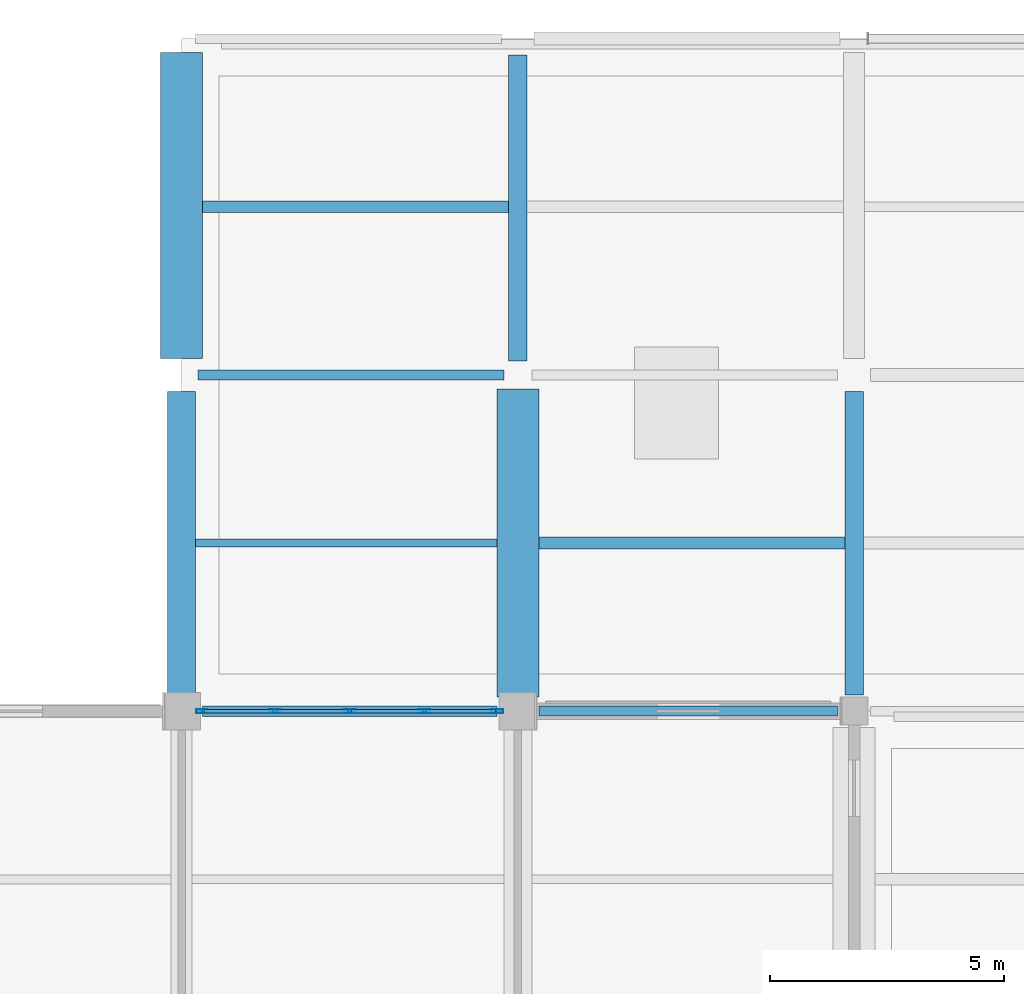
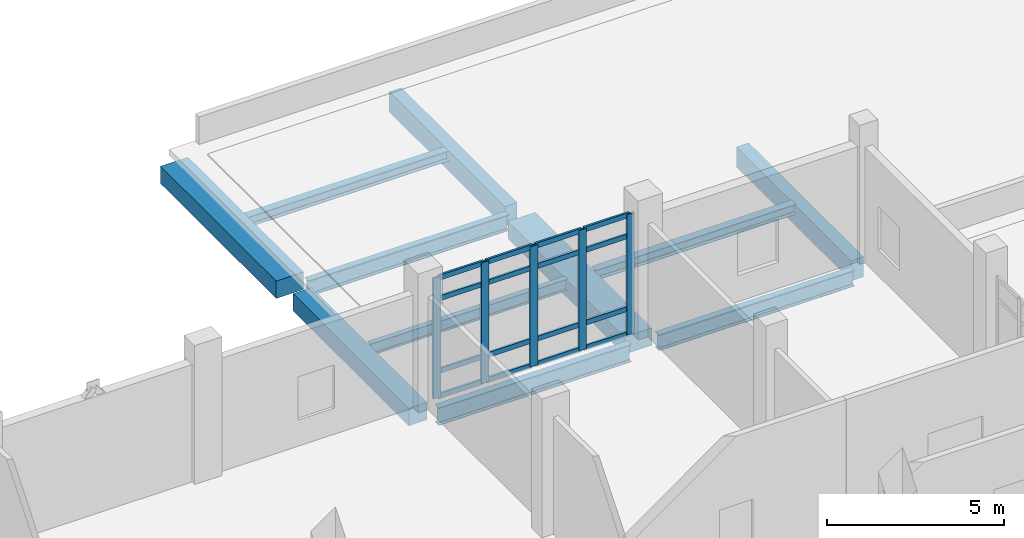
# One storey, part 116 of 186: 21 members, 11 beams, 1 element without a shape of its own.
"""IFC4 building model written with IfcOpenShell, lengths in metres."""

import ifcopenshell
import ifcopenshell.guid

model = None  # the IFC model being written
_history = None  # IfcOwnerHistory: only IFC2X3 demands one
_inside = {}  # id of a spatial element -> (the spatial element, [elements in it])
_under = {}  # id of a project, library or spatial element -> (it, [spatial elements below it])
_declared = {}  # id of a project -> (the project, [libraries it declares])
_typed = {}  # id of a type object -> (the type object, [elements of that type])
_made_of = {}  # id of a material, layer set ... -> (it, [elements and type objects made of it])


def new_model(schema):
    """Start an empty IFC model of exactly this schema.

    Asked for "IFC4X3", IfcOpenShell would pick the latest addendum, in which some entities
    have other attributes; the version numbers below select the first issue.
    IFC2X3 requires an IfcOwnerHistory on every rooted entity: one is made here for all.
    """
    global model, _history
    if schema == "IFC4X3":
        model = ifcopenshell.file(schema_version=(4, 3, 0, 0))
    else:
        model = ifcopenshell.file(schema=schema)
    _inside.clear()
    _under.clear()
    _declared.clear()
    _typed.clear()
    _made_of.clear()
    _history = None
    if model.schema == "IFC2X3":
        org = make("IfcOrganization", Name="unknown")
        user = make(
            "IfcPersonAndOrganization",
            ThePerson=make("IfcPerson", FamilyName="unknown"),
            TheOrganization=org,
        )
        app = make(
            "IfcApplication",
            ApplicationDeveloper=org,
            Version="unknown",
            ApplicationFullName="unknown",
            ApplicationIdentifier="unknown",
        )
        _history = make(
            "IfcOwnerHistory",
            OwningUser=user,
            OwningApplication=app,
            ChangeAction="ADDED",
            CreationDate=0,
        )
    return model


def make(cls, **values):
    """One entity of the class cls with the attributes given. An attribute that is None is left unset."""
    return model.create_entity(
        cls, **{name: value for name, value in values.items() if value is not None}
    )


def rooted(cls, **values):
    """An entity with a GlobalId (a new one), such as an element, a storey or a relation."""
    return make(cls, GlobalId=ifcopenshell.guid.new(), OwnerHistory=_history, **values)


def si_unit(unit_type, name, prefix=None):
    """IfcSIUnit, for example si_unit("LENGTHUNIT", "METRE", prefix="MILLI")."""
    return make("IfcSIUnit", UnitType=unit_type, Prefix=prefix, Name=name)


def assignment(units):
    """IfcUnitAssignment: the units of a project."""
    return None if units is None else make("IfcUnitAssignment", Units=units)


def point(xyz):
    """IfcCartesianPoint."""
    return None if xyz is None else make("IfcCartesianPoint", Coordinates=xyz)


def direction(xyz):
    """IfcDirection."""
    return None if xyz is None else make("IfcDirection", DirectionRatios=xyz)


def frame(location, z_axis=None, x_axis=None):
    """IfcAxis2Placement3D, a coordinate frame: its origin and axes. An axis left out is left unset."""
    return make(
        "IfcAxis2Placement3D",
        Location=point(location),
        Axis=direction(z_axis),
        RefDirection=direction(x_axis),
    )


def frame_2d(location, x_axis=None):
    """IfcAxis2Placement2D, a coordinate frame in the plane: its origin and x axis."""
    return make(
        "IfcAxis2Placement2D", Location=point(location), RefDirection=direction(x_axis)
    )


def origin():
    """The frame at (0, 0, 0) with its axes left unset."""
    return frame((0.0, 0.0, 0.0))


def origin_2d():
    """The frame at (0, 0) in the plane with its x axis left unset."""
    return frame_2d((0.0, 0.0))


def place(relative_to, where):
    """IfcLocalPlacement: puts the frame where relative to a parent placement (None: the world)."""
    return make(
        "IfcLocalPlacement", PlacementRelTo=relative_to, RelativePlacement=where
    )


def context(
    kind, dimensions, precision=None, world=None, true_north=None, identifier=None
):
    """IfcGeometricRepresentationContext, for example the 3D "Model" context."""
    return make(
        "IfcGeometricRepresentationContext",
        ContextIdentifier=identifier,
        ContextType=kind,
        CoordinateSpaceDimension=dimensions,
        Precision=precision,
        WorldCoordinateSystem=world,
        TrueNorth=true_north,
    )


def subcontext(parent, identifier, kind, view, scale=None):
    """IfcGeometricRepresentationSubContext, for example "Body" below "Model"."""
    return make(
        "IfcGeometricRepresentationSubContext",
        ContextIdentifier=identifier,
        ContextType=kind,
        ParentContext=parent,
        TargetScale=scale,
        TargetView=view,
    )


def project(units=None, contexts=None):
    """IfcProject with its units and contexts."""
    return rooted(
        "IfcProject",
        Name="project",
        RepresentationContexts=contexts,
        UnitsInContext=assignment(units),
    )


def spatial(cls, under=None, at=None, **own):
    """A site, building, storey or space (cls), placed at a placement, below another one or the project."""
    s = rooted(cls, ObjectPlacement=at, **own)
    if under is not None:
        _under.setdefault(under.id(), (under, []))[1].append(s)
    return s


def profile(cls, at=None, kind="AREA", **sizes):
    """A parametric profile (cls). Its sizes go by their IFC names, for example OverallWidth=200.0."""
    return make(cls, ProfileType=kind, Position=at, **sizes)


def rectangle(**sizes):
    """IfcRectangleProfileDef."""
    return profile("IfcRectangleProfileDef", **sizes)


def hollow_rectangle(**sizes):
    """IfcRectangleHollowProfileDef."""
    return profile("IfcRectangleHollowProfileDef", **sizes)


def i_section(**sizes):
    """IfcIShapeProfileDef."""
    return profile("IfcIShapeProfileDef", **sizes)


def extrude(swept, where, along, depth):
    """IfcExtrudedAreaSolid: the profile swept, set in the frame where, extruded along a direction by depth."""
    return make(
        "IfcExtrudedAreaSolid",
        SweptArea=swept,
        Position=where,
        ExtrudedDirection=direction(along),
        Depth=depth,
    )


def shape(context_of_items, identifier, shape_type, items):
    """IfcShapeRepresentation: the items that make up one representation, for example the "Body"."""
    return make(
        "IfcShapeRepresentation",
        ContextOfItems=context_of_items,
        RepresentationIdentifier=identifier,
        RepresentationType=shape_type,
        Items=items,
    )


def material(Name=None, Category=None):
    """IfcMaterial."""
    return make("IfcMaterial", Name=Name, Category=Category)


def layer(
    of_material, thickness, ventilated=None, Name=None, Category=None, Priority=None
):
    """IfcMaterialLayer: one layer of a wall or slab, of a material (None: an air gap)."""
    return make(
        "IfcMaterialLayer",
        Material=of_material,
        LayerThickness=thickness,
        IsVentilated=ventilated,
        Name=Name,
        Category=Category,
        Priority=Priority,
    )


def layer_set(layers, Name=None):
    """IfcMaterialLayerSet."""
    return make("IfcMaterialLayerSet", MaterialLayers=layers, LayerSetName=Name)


def material_profile(
    of_material, cross_section, Name=None, Category=None, Priority=None
):
    """IfcMaterialProfile: a cross section and its material."""
    return make(
        "IfcMaterialProfile",
        Name=Name,
        Material=of_material,
        Profile=cross_section,
        Priority=Priority,
        Category=Category,
    )


def profile_set(profiles, Name=None, composite=None):
    """IfcMaterialProfileSet."""
    return make(
        "IfcMaterialProfileSet",
        Name=Name,
        MaterialProfiles=profiles,
        CompositeProfile=composite,
    )


def made_of(thing, what):
    """Note that an element or type object is made of a material, layer set ...; save() writes the relation."""
    if what is not None:
        _made_of.setdefault(what.id(), (what, []))[1].append(thing)
    return thing


def type_object(cls, material=None, **own):
    """A type object (cls), such as IfcWallType, which elements share."""
    return made_of(rooted(cls, **own), material)


def element(
    cls,
    number,
    at=None,
    inside=None,
    cuts=None,
    type_object=None,
    material=None,
    context=None,
    identifier="Body",
    shape_type=None,
    held_by="IfcProductDefinitionShape",
    body=None,
    shapes=None,
    **own,
):
    """One element of the class cls, such as IfcWall. Its Tag is "e" and its number.

    at: its placement. inside: the storey or other place that contains it. cuts: it is an
    opening in that element (IfcRelVoidsElement). A single representation is given by context,
    identifier, shape_type and body (its items); several are given by shapes. held_by: the class
    of the entity that holds the representations. save() writes the other relations.
    """
    e = rooted(cls, Tag="e%d" % number, ObjectPlacement=at, **own)
    if body is not None:
        shapes = [shape(context, identifier, shape_type, body)]
    if shapes is not None:
        e.Representation = make(held_by, Representations=shapes)
    if inside is not None:
        _inside.setdefault(inside.id(), (inside, []))[1].append(e)
    if cuts is not None:
        rooted(
            "IfcRelVoidsElement", RelatingBuildingElement=cuts, RelatedOpeningElement=e
        )
    if type_object is not None:
        _typed.setdefault(type_object.id(), (type_object, []))[1].append(e)
    return made_of(e, material)


def aggregate(whole, parts):
    """IfcRelAggregates: a whole, such as a stair, and the parts it consists of."""
    return rooted("IfcRelAggregates", RelatingObject=whole, RelatedObjects=parts)


def save(model, path):
    """Write the relations noted so far, then the file.

    IfcRelAggregates (storeys below a building ...), IfcRelContainedInSpatialStructure (elements
    in a storey), IfcRelDefinesByType, IfcRelAssociatesMaterial and IfcRelDeclares: one each for
    every whole, place, type object, material and project.
    """
    for whole, parts in _under.values():
        aggregate(whole, parts)
    for where, things in _inside.values():
        rooted(
            "IfcRelContainedInSpatialStructure",
            RelatedElements=things,
            RelatingStructure=where,
        )
    for kind, things in _typed.values():
        rooted("IfcRelDefinesByType", RelatedObjects=things, RelatingType=kind)
    for what, things in _made_of.values():
        rooted("IfcRelAssociatesMaterial", RelatedObjects=things, RelatingMaterial=what)
    for by, libraries in _declared.values():
        rooted("IfcRelDeclares", RelatingContext=by, RelatedDefinitions=libraries)
    model.write(path)


model = new_model("IFC4")

# Units and contexts
model_context = context("Model", 3, precision=1e-05, world=origin(), true_north=direction((0.0, 1.0)))
body_context = subcontext(model_context, "Body", "Model", "MODEL_VIEW")
ifc_project = project(units=[si_unit("LENGTHUNIT", "METRE"), si_unit("AREAUNIT", "SQUARE_METRE"), si_unit("VOLUMEUNIT", "CUBIC_METRE"), si_unit("PLANEANGLEUNIT", "RADIAN"), si_unit("MASSUNIT", "GRAM", prefix="KILO")], contexts=[model_context])

# Site, building, storey
site_placement = place(None, origin())
site = spatial("IfcSite", under=ifc_project, at=site_placement, CompositionType="ELEMENT")
building_placement = place(site_placement, origin())
building = spatial("IfcBuilding", under=site, at=building_placement, Name="Calvrana Isthmian Art Gallery", CompositionType="ELEMENT")
storey_placement = place(building_placement, frame((0.0, 0.0, 5.39990234375)))
storey = spatial("IfcBuildingStorey", under=building, at=storey_placement, Name="L01", CompositionType="ELEMENT", Elevation=5.39990234375)

# Beams
ifc_material_1 = material(Name="Steel ASTM A992 Gr 50", Category="steel")
ifc_material_profile_1 = material_profile(ifc_material_1, i_section(OverallWidth=0.214111328125, OverallDepth=0.549072265625, WebThickness=0.0146484375, FlangeThickness=0.023681640625, FilletRadius=0.02099609375, at=origin_2d()), Name="W21X93")
ifc_profile_set_1 = profile_set([ifc_material_profile_1], Name="Steel ASTM A992 Gr 50")
beam_type_1 = type_object("IfcBeamType", Name="BM-G-W21X93", PredefinedType="BEAM", material=ifc_profile_set_1)
beam_1_placement = place(storey_placement, frame((142.050048828125, 98.39990234375, -0.579345703125), z_axis=(1.0, 0.0, 0.0), x_axis=(0.0, 1.0, 0.0)))
element("IfcBeam", 1, at=beam_1_placement, inside=storey, type_object=beam_type_1, Name="Girder X L01 19-20/N", PredefinedType="BEAM", context=body_context, shape_type="SweptSolid", body=[
    extrude(i_section(OverallWidth=0.214111328125, OverallDepth=0.549072265625, WebThickness=0.0146484375, FlangeThickness=0.023681640625, FilletRadius=0.02099609375, at=origin_2d()), origin(), (0.0, 0.0, 1.0), 6.39990234375),
])
beam_2_placement = place(storey_placement, frame((134.75, 105.60009765625, -0.519287109375), z_axis=(1.0, 0.0, 0.0), x_axis=(0.0, 1.0, 0.0)))
element("IfcBeam", 2, at=beam_2_placement, inside=storey, type_object=beam_type_1, Name="Girder X L01 18-19/O", PredefinedType="BEAM", context=body_context, shape_type="SweptSolid", body=[
    extrude(i_section(OverallWidth=0.214111328125, OverallDepth=0.549072265625, WebThickness=0.0146484375, FlangeThickness=0.023681640625, FilletRadius=0.02099609375, at=origin_2d()), origin(), (0.0, 0.0, 1.0), 6.550048828125),
])
ifc_material_profile_2 = material_profile(ifc_material_1, i_section(OverallWidth=0.22802734375, OverallDepth=0.60693359375, WebThickness=0.01123046875, FlangeThickness=0.017333984375, FilletRadius=0.02197265625, at=origin_2d()), Name="W24X76")
ifc_profile_set_2 = profile_set([ifc_material_profile_2], Name="Steel ASTM A992 Gr 50")
beam_type_2 = type_object("IfcBeamType", Name="BM-G-W24X76", PredefinedType="BEAM", material=ifc_profile_set_2)
beam_3_placement = place(storey_placement, frame((134.85009765625, 98.39990234375, -0.6083984375), z_axis=(1.0, 0.0, 0.0), x_axis=(0.0, 1.0, 0.0)))
element("IfcBeam", 3, at=beam_3_placement, inside=storey, type_object=beam_type_2, Name="Girder X L01 18-19/N", PredefinedType="BEAM", context=body_context, shape_type="SweptSolid", body=[
    extrude(i_section(OverallWidth=0.22802734375, OverallDepth=0.60693359375, WebThickness=0.01123046875, FlangeThickness=0.017333984375, FilletRadius=0.02197265625, at=origin_2d()), origin(), (0.0, 0.0, 1.0), 6.2998046875),
])
ifc_material_profile_3 = material_profile(ifc_material_1, i_section(OverallWidth=0.25390625, OverallDepth=0.35302734375, WebThickness=0.009521484375, FlangeThickness=0.016357421875, FilletRadius=0.01806640625, at=origin_2d()), Name="W14X61")
ifc_profile_set_3 = profile_set([ifc_material_profile_3], Name="Steel ASTM A992 Gr 50")
beam_type_3 = type_object("IfcBeamType", Name="BM-J-W14X61", PredefinedType="JOIST", material=ifc_profile_set_3)
beam_4_placement = place(storey_placement, frame((134.85009765625, 109.199951171875, -0.42138671875), z_axis=(1.0, 0.0, 0.0), x_axis=(0.0, 1.0, 0.0)))
element("IfcBeam", 4, at=beam_4_placement, inside=storey, type_object=beam_type_3, Name="Composite joist L01 bay 17-14", PredefinedType="JOIST", context=body_context, shape_type="SweptSolid", body=[
    extrude(i_section(OverallWidth=0.25390625, OverallDepth=0.35302734375, WebThickness=0.009521484375, FlangeThickness=0.016357421875, FilletRadius=0.01806640625, at=origin_2d()), origin(), (0.0, 0.0, 1.0), 6.5498046875),
])
beam_5_placement = place(storey_placement, frame((142.050048828125, 102.0, -0.42138671875), z_axis=(1.0, 0.0, 0.0), x_axis=(0.0, 1.0, 0.0)))
element("IfcBeam", 5, at=beam_5_placement, inside=storey, type_object=beam_type_3, Name="Composite joist L01 bay 18-13", PredefinedType="JOIST", context=body_context, shape_type="SweptSolid", body=[
    extrude(i_section(OverallWidth=0.25390625, OverallDepth=0.35302734375, WebThickness=0.009521484375, FlangeThickness=0.016357421875, FilletRadius=0.01806640625, at=origin_2d()), origin(), (0.0, 0.0, 1.0), 6.550048828125),
])
ifc_material_profile_4 = material_profile(ifc_material_1, i_section(OverallWidth=0.177978515625, OverallDepth=0.404052734375, WebThickness=0.007568359375, FlangeThickness=0.010986328125, FilletRadius=0.01806640625, at=origin_2d()), Name="W16X36")
ifc_profile_set_4 = profile_set([ifc_material_profile_4], Name="Steel ASTM A992 Gr 50")
beam_type_4 = type_object("IfcBeamType", Name="BM-J-W16X36", PredefinedType="JOIST", material=ifc_profile_set_4)
beam_6_placement = place(storey_placement, frame((134.699951171875, 102.0, -0.447021484375), z_axis=(1.0, 0.0, 0.0), x_axis=(0.0, 1.0, 0.0)))
element("IfcBeam", 6, at=beam_6_placement, inside=storey, type_object=beam_type_4, Name="Composite joist L01 bay 17-13", PredefinedType="JOIST", context=body_context, shape_type="SweptSolid", body=[
    extrude(i_section(OverallWidth=0.177978515625, OverallDepth=0.404052734375, WebThickness=0.007568359375, FlangeThickness=0.010986328125, FilletRadius=0.01806640625, at=origin_2d()), origin(), (0.0, 0.0, 1.0), 6.449951171875),
])
ifc_material_2 = material(Name="Concrete C40/50", Category="concrete")
ifc_material_profile_5 = material_profile(ifc_material_2, rectangle(XDim=0.39990234375, YDim=0.699951171875, at=origin_2d()), Name="RC400X700")
ifc_profile_set_5 = profile_set([ifc_material_profile_5], Name="Concrete C40/50")
beam_type_5 = type_object("IfcBeamType", Name="BM-RC-400X700", PredefinedType="BEAM", material=ifc_profile_set_5)
beam_7_placement = place(storey_placement, frame((141.60009765625, 105.89990234375, -0.594970703125), z_axis=(0.0, 1.0, 0.0), x_axis=(-1.0, 0.0, 0.0)))
element("IfcBeam", 7, at=beam_7_placement, inside=storey, type_object=beam_type_5, Name="Girder Y L01 19/O-P", PredefinedType="BEAM", context=body_context, shape_type="SweptSolid", body=[
    extrude(rectangle(XDim=0.39990234375, YDim=0.699951171875, at=origin_2d()), origin(), (0.0, 0.0, 1.0), 6.550048828125),
])
beam_8_placement = place(storey_placement, frame((148.800048828125, 98.75, -0.65478515625), z_axis=(0.0, 1.0, 0.0), x_axis=(-1.0, 0.0, 0.0)))
element("IfcBeam", 8, at=beam_8_placement, inside=storey, type_object=beam_type_5, Name="Girder Y L01 20/N-O", PredefinedType="BEAM", context=body_context, shape_type="SweptSolid", body=[
    extrude(rectangle(XDim=0.39990234375, YDim=0.699951171875, at=origin_2d()), origin(), (0.0, 0.0, 1.0), 6.5),
])
ifc_material_profile_6 = material_profile(ifc_material_2, rectangle(XDim=0.60009765625, YDim=0.60009765625, at=origin_2d()), Name="RC600X600")
ifc_profile_set_6 = profile_set([ifc_material_profile_6], Name="Concrete C40/50")
beam_type_6 = type_object("IfcBeamType", Name="BM-RC-600X600", PredefinedType="BEAM", material=ifc_profile_set_6)
beam_9_placement = place(storey_placement, frame((134.39990234375, 98.699951171875, -0.60498046875), z_axis=(0.0, 1.0, 0.0), x_axis=(-1.0, 0.0, 0.0)))
element("IfcBeam", 9, at=beam_9_placement, inside=storey, type_object=beam_type_6, Name="Girder Y L01 18/N-O", PredefinedType="BEAM", context=body_context, shape_type="SweptSolid", body=[
    extrude(rectangle(XDim=0.60009765625, YDim=0.60009765625, at=origin_2d()), origin(), (0.0, 0.0, 1.0), 6.550048828125),
])
ifc_material_profile_7 = material_profile(ifc_material_2, rectangle(XDim=0.89990234375, YDim=0.60009765625, at=origin_2d()), Name="RC900X600")
ifc_profile_set_7 = profile_set([ifc_material_profile_7], Name="Concrete C40/50")
beam_type_7 = type_object("IfcBeamType", Name="BM-RC-900X600", PredefinedType="BEAM", material=ifc_profile_set_7)
beam_10_placement = place(storey_placement, frame((134.39990234375, 105.949951171875, -0.544921875), z_axis=(0.0, 1.0, 0.0), x_axis=(-1.0, 0.0, 0.0)))
element("IfcBeam", 10, at=beam_10_placement, inside=storey, type_object=beam_type_7, Name="Girder Y L01 18/O-P", PredefinedType="BEAM", context=body_context, shape_type="SweptSolid", body=[
    extrude(rectangle(XDim=0.89990234375, YDim=0.60009765625, at=origin_2d()), origin(), (0.0, 0.0, 1.0), 6.550048828125),
])
beam_11_placement = place(storey_placement, frame((141.60009765625, 98.699951171875, -0.60498046875), z_axis=(0.0, 1.0, 0.0), x_axis=(-1.0, 0.0, 0.0)))
element("IfcBeam", 11, at=beam_11_placement, inside=storey, type_object=beam_type_7, Name="Girder Y L01 19/N-O", PredefinedType="BEAM", context=body_context, shape_type="SweptSolid", body=[
    extrude(rectangle(XDim=0.89990234375, YDim=0.60009765625, at=origin_2d()), origin(), (0.0, 0.0, 1.0), 6.60009765625),
])

# Curtain wall, members
ifc_material_3 = material(Name="Anodized bronze aluminium 6063-T6", Category="aluminium")
ifc_layer = layer(ifc_material_3, 0.179931640625, Name="Anodized bronze aluminium 6063-T6")
ifc_layer_set = layer_set([ifc_layer], Name="Anodized bronze aluminium 6063-T6")
curtain_wall_type = type_object("IfcCurtainWallType", Name="CW-UNIT-064X42", PredefinedType="USERDEFINED", material=ifc_layer_set)
curtain_wall_placement = place(storey_placement, origin())
curtain_wall = element("IfcCurtainWall", 12, at=curtain_wall_placement, inside=storey, type_object=curtain_wall_type, Name="Curtain wall CW-113", ObjectType="UNITISED CURTAIN WALL", PredefinedType="USERDEFINED")
ifc_material_profile_8 = material_profile(ifc_material_3, hollow_rectangle(XDim=0.080078125, YDim=0.25, WallThickness=0.005615234375, at=origin_2d()), Name="CWM80X250")
ifc_profile_set_8 = profile_set([ifc_material_profile_8], Name="Anodized bronze aluminium 6063-T6")
member_type_1 = type_object("IfcMemberType", Name="CWM-CWM80X250", PredefinedType="MULLION", material=ifc_profile_set_8)
member_1_placement = place(storey_placement, frame((134.840087890625, 98.39990234375, 0.0), z_axis=(0.0, 0.0, 1.0), x_axis=(0.0, 1.0, 0.0)))
member_1 = element("IfcMember", 13, at=member_1_placement, type_object=member_type_1, Name="CW-113 mullion 1", PredefinedType="MULLION", context=body_context, shape_type="SweptSolid", body=[
    extrude(hollow_rectangle(XDim=0.080078125, YDim=0.25, WallThickness=0.005615234375, at=origin_2d()), origin(), (0.0, 0.0, 1.0), 4.1640625),
])
member_2_placement = place(storey_placement, frame((136.39990234375, 98.39990234375, 0.0), z_axis=(0.0, 0.0, 1.0), x_axis=(0.0, 1.0, 0.0)))
member_2 = element("IfcMember", 14, at=member_2_placement, type_object=member_type_1, Name="CW-113 mullion 2", PredefinedType="MULLION", context=body_context, shape_type="SweptSolid", body=[
    extrude(hollow_rectangle(XDim=0.080078125, YDim=0.25, WallThickness=0.005615234375, at=origin_2d()), origin(), (0.0, 0.0, 1.0), 4.1640625),
])
member_3_placement = place(storey_placement, frame((138.0, 98.39990234375, 0.0), z_axis=(0.0, 0.0, 1.0), x_axis=(0.0, 1.0, 0.0)))
member_3 = element("IfcMember", 15, at=member_3_placement, type_object=member_type_1, Name="CW-113 mullion 3", PredefinedType="MULLION", context=body_context, shape_type="SweptSolid", body=[
    extrude(hollow_rectangle(XDim=0.080078125, YDim=0.25, WallThickness=0.005615234375, at=origin_2d()), origin(), (0.0, 0.0, 1.0), 4.1640625),
])
member_4_placement = place(storey_placement, frame((139.60009765625, 98.39990234375, 0.0), z_axis=(0.0, 0.0, 1.0), x_axis=(0.0, 1.0, 0.0)))
member_4 = element("IfcMember", 16, at=member_4_placement, type_object=member_type_1, Name="CW-113 mullion 4", PredefinedType="MULLION", context=body_context, shape_type="SweptSolid", body=[
    extrude(hollow_rectangle(XDim=0.080078125, YDim=0.25, WallThickness=0.005615234375, at=origin_2d()), origin(), (0.0, 0.0, 1.0), 4.1640625),
])
member_5_placement = place(storey_placement, frame((141.159912109375, 98.39990234375, 0.0), z_axis=(0.0, 0.0, 1.0), x_axis=(0.0, 1.0, 0.0)))
member_5 = element("IfcMember", 17, at=member_5_placement, type_object=member_type_1, Name="CW-113 mullion 5", PredefinedType="MULLION", context=body_context, shape_type="SweptSolid", body=[
    extrude(hollow_rectangle(XDim=0.080078125, YDim=0.25, WallThickness=0.005615234375, at=origin_2d()), origin(), (0.0, 0.0, 1.0), 4.1640625),
])
ifc_material_profile_9 = material_profile(ifc_material_3, hollow_rectangle(XDim=0.070068359375, YDim=0.169921875, WallThickness=0.00439453125, at=origin_2d()), Name="CWT70X170")
ifc_profile_set_9 = profile_set([ifc_material_profile_9], Name="Anodized bronze aluminium 6063-T6")
member_type_2 = type_object("IfcMemberType", Name="CWT-CWT70X170", PredefinedType="USERDEFINED", material=ifc_profile_set_9)
member_6_placement = place(storey_placement, frame((134.8798828125, 98.39990234375, 0.03515625), z_axis=(1.0, 0.0, 0.0), x_axis=(0.0, 1.0, 0.0)))
member_6 = element("IfcMember", 18, at=member_6_placement, type_object=member_type_2, Name="CW-113 transom 1.1", ObjectType="TRANSOM", PredefinedType="USERDEFINED", context=body_context, shape_type="SweptSolid", body=[
    extrude(hollow_rectangle(XDim=0.070068359375, YDim=0.169921875, WallThickness=0.00439453125, at=origin_2d()), origin(), (0.0, 0.0, 1.0), 1.480224609375),
])
member_7_placement = place(storey_placement, frame((134.8798828125, 98.39990234375, 0.900146484375), z_axis=(1.0, 0.0, 0.0), x_axis=(0.0, 1.0, 0.0)))
member_7 = element("IfcMember", 19, at=member_7_placement, type_object=member_type_2, Name="CW-113 transom 1.2", ObjectType="TRANSOM", PredefinedType="USERDEFINED", context=body_context, shape_type="SweptSolid", body=[
    extrude(hollow_rectangle(XDim=0.070068359375, YDim=0.169921875, WallThickness=0.00439453125, at=origin_2d()), origin(), (0.0, 0.0, 1.0), 1.480224609375),
])
member_8_placement = place(storey_placement, frame((134.8798828125, 98.39990234375, 3.4140625), z_axis=(1.0, 0.0, 0.0), x_axis=(0.0, 1.0, 0.0)))
member_8 = element("IfcMember", 20, at=member_8_placement, type_object=member_type_2, Name="CW-113 transom 1.3", ObjectType="TRANSOM", PredefinedType="USERDEFINED", context=body_context, shape_type="SweptSolid", body=[
    extrude(hollow_rectangle(XDim=0.070068359375, YDim=0.169921875, WallThickness=0.00439453125, at=origin_2d()), origin(), (0.0, 0.0, 1.0), 1.480224609375),
])
member_9_placement = place(storey_placement, frame((134.8798828125, 98.39990234375, 4.129150390625), z_axis=(1.0, 0.0, 0.0), x_axis=(0.0, 1.0, 0.0)))
member_9 = element("IfcMember", 21, at=member_9_placement, type_object=member_type_2, Name="CW-113 transom 1.4", ObjectType="TRANSOM", PredefinedType="USERDEFINED", context=body_context, shape_type="SweptSolid", body=[
    extrude(hollow_rectangle(XDim=0.070068359375, YDim=0.169921875, WallThickness=0.00439453125, at=origin_2d()), origin(), (0.0, 0.0, 1.0), 1.480224609375),
])
member_10_placement = place(storey_placement, frame((136.43994140625, 98.39990234375, 0.03515625), z_axis=(1.0, 0.0, 0.0), x_axis=(0.0, 1.0, 0.0)))
member_10 = element("IfcMember", 22, at=member_10_placement, type_object=member_type_2, Name="CW-113 transom 2.1", ObjectType="TRANSOM", PredefinedType="USERDEFINED", context=body_context, shape_type="SweptSolid", body=[
    extrude(hollow_rectangle(XDim=0.070068359375, YDim=0.169921875, WallThickness=0.00439453125, at=origin_2d()), origin(), (0.0, 0.0, 1.0), 1.52001953125),
])
member_11_placement = place(storey_placement, frame((136.43994140625, 98.39990234375, 0.900146484375), z_axis=(1.0, 0.0, 0.0), x_axis=(0.0, 1.0, 0.0)))
member_11 = element("IfcMember", 23, at=member_11_placement, type_object=member_type_2, Name="CW-113 transom 2.2", ObjectType="TRANSOM", PredefinedType="USERDEFINED", context=body_context, shape_type="SweptSolid", body=[
    extrude(hollow_rectangle(XDim=0.070068359375, YDim=0.169921875, WallThickness=0.00439453125, at=origin_2d()), origin(), (0.0, 0.0, 1.0), 1.52001953125),
])
member_12_placement = place(storey_placement, frame((136.43994140625, 98.39990234375, 3.4140625), z_axis=(1.0, 0.0, 0.0), x_axis=(0.0, 1.0, 0.0)))
member_12 = element("IfcMember", 24, at=member_12_placement, type_object=member_type_2, Name="CW-113 transom 2.3", ObjectType="TRANSOM", PredefinedType="USERDEFINED", context=body_context, shape_type="SweptSolid", body=[
    extrude(hollow_rectangle(XDim=0.070068359375, YDim=0.169921875, WallThickness=0.00439453125, at=origin_2d()), origin(), (0.0, 0.0, 1.0), 1.52001953125),
])
member_13_placement = place(storey_placement, frame((136.43994140625, 98.39990234375, 4.129150390625), z_axis=(1.0, 0.0, 0.0), x_axis=(0.0, 1.0, 0.0)))
member_13 = element("IfcMember", 25, at=member_13_placement, type_object=member_type_2, Name="CW-113 transom 2.4", ObjectType="TRANSOM", PredefinedType="USERDEFINED", context=body_context, shape_type="SweptSolid", body=[
    extrude(hollow_rectangle(XDim=0.070068359375, YDim=0.169921875, WallThickness=0.00439453125, at=origin_2d()), origin(), (0.0, 0.0, 1.0), 1.52001953125),
])
member_14_placement = place(storey_placement, frame((138.0400390625, 98.39990234375, 0.03515625), z_axis=(1.0, 0.0, 0.0), x_axis=(0.0, 1.0, 0.0)))
member_14 = element("IfcMember", 26, at=member_14_placement, type_object=member_type_2, Name="CW-113 transom 3.1", ObjectType="TRANSOM", PredefinedType="USERDEFINED", context=body_context, shape_type="SweptSolid", body=[
    extrude(hollow_rectangle(XDim=0.070068359375, YDim=0.169921875, WallThickness=0.00439453125, at=origin_2d()), origin(), (0.0, 0.0, 1.0), 1.52001953125),
])
member_15_placement = place(storey_placement, frame((138.0400390625, 98.39990234375, 0.900146484375), z_axis=(1.0, 0.0, 0.0), x_axis=(0.0, 1.0, 0.0)))
member_15 = element("IfcMember", 27, at=member_15_placement, type_object=member_type_2, Name="CW-113 transom 3.2", ObjectType="TRANSOM", PredefinedType="USERDEFINED", context=body_context, shape_type="SweptSolid", body=[
    extrude(hollow_rectangle(XDim=0.070068359375, YDim=0.169921875, WallThickness=0.00439453125, at=origin_2d()), origin(), (0.0, 0.0, 1.0), 1.52001953125),
])
member_16_placement = place(storey_placement, frame((138.0400390625, 98.39990234375, 3.4140625), z_axis=(1.0, 0.0, 0.0), x_axis=(0.0, 1.0, 0.0)))
member_16 = element("IfcMember", 28, at=member_16_placement, type_object=member_type_2, Name="CW-113 transom 3.3", ObjectType="TRANSOM", PredefinedType="USERDEFINED", context=body_context, shape_type="SweptSolid", body=[
    extrude(hollow_rectangle(XDim=0.070068359375, YDim=0.169921875, WallThickness=0.00439453125, at=origin_2d()), origin(), (0.0, 0.0, 1.0), 1.52001953125),
])
member_17_placement = place(storey_placement, frame((138.0400390625, 98.39990234375, 4.129150390625), z_axis=(1.0, 0.0, 0.0), x_axis=(0.0, 1.0, 0.0)))
member_17 = element("IfcMember", 29, at=member_17_placement, type_object=member_type_2, Name="CW-113 transom 3.4", ObjectType="TRANSOM", PredefinedType="USERDEFINED", context=body_context, shape_type="SweptSolid", body=[
    extrude(hollow_rectangle(XDim=0.070068359375, YDim=0.169921875, WallThickness=0.00439453125, at=origin_2d()), origin(), (0.0, 0.0, 1.0), 1.52001953125),
])
member_18_placement = place(storey_placement, frame((139.639892578125, 98.39990234375, 0.03515625), z_axis=(1.0, 0.0, 0.0), x_axis=(0.0, 1.0, 0.0)))
member_18 = element("IfcMember", 30, at=member_18_placement, type_object=member_type_2, Name="CW-113 transom 4.1", ObjectType="TRANSOM", PredefinedType="USERDEFINED", context=body_context, shape_type="SweptSolid", body=[
    extrude(hollow_rectangle(XDim=0.070068359375, YDim=0.169921875, WallThickness=0.00439453125, at=origin_2d()), origin(), (0.0, 0.0, 1.0), 1.480224609375),
])
member_19_placement = place(storey_placement, frame((139.639892578125, 98.39990234375, 0.900146484375), z_axis=(1.0, 0.0, 0.0), x_axis=(0.0, 1.0, 0.0)))
member_19 = element("IfcMember", 31, at=member_19_placement, type_object=member_type_2, Name="CW-113 transom 4.2", ObjectType="TRANSOM", PredefinedType="USERDEFINED", context=body_context, shape_type="SweptSolid", body=[
    extrude(hollow_rectangle(XDim=0.070068359375, YDim=0.169921875, WallThickness=0.00439453125, at=origin_2d()), origin(), (0.0, 0.0, 1.0), 1.480224609375),
])
member_20_placement = place(storey_placement, frame((139.639892578125, 98.39990234375, 3.4140625), z_axis=(1.0, 0.0, 0.0), x_axis=(0.0, 1.0, 0.0)))
member_20 = element("IfcMember", 32, at=member_20_placement, type_object=member_type_2, Name="CW-113 transom 4.3", ObjectType="TRANSOM", PredefinedType="USERDEFINED", context=body_context, shape_type="SweptSolid", body=[
    extrude(hollow_rectangle(XDim=0.070068359375, YDim=0.169921875, WallThickness=0.00439453125, at=origin_2d()), origin(), (0.0, 0.0, 1.0), 1.480224609375),
])
member_21_placement = place(storey_placement, frame((139.639892578125, 98.39990234375, 4.129150390625), z_axis=(1.0, 0.0, 0.0), x_axis=(0.0, 1.0, 0.0)))
member_21 = element("IfcMember", 33, at=member_21_placement, type_object=member_type_2, Name="CW-113 transom 4.4", ObjectType="TRANSOM", PredefinedType="USERDEFINED", context=body_context, shape_type="SweptSolid", body=[
    extrude(hollow_rectangle(XDim=0.070068359375, YDim=0.169921875, WallThickness=0.00439453125, at=origin_2d()), origin(), (0.0, 0.0, 1.0), 1.480224609375),
])
aggregate(curtain_wall, [member_1, member_2, member_3, member_4, member_5, member_6, member_7, member_8, member_9, member_10, member_11, member_12, member_13, member_14, member_15, member_16, member_17, member_18, member_19, member_20, member_21])

save(model, "model.ifc")
